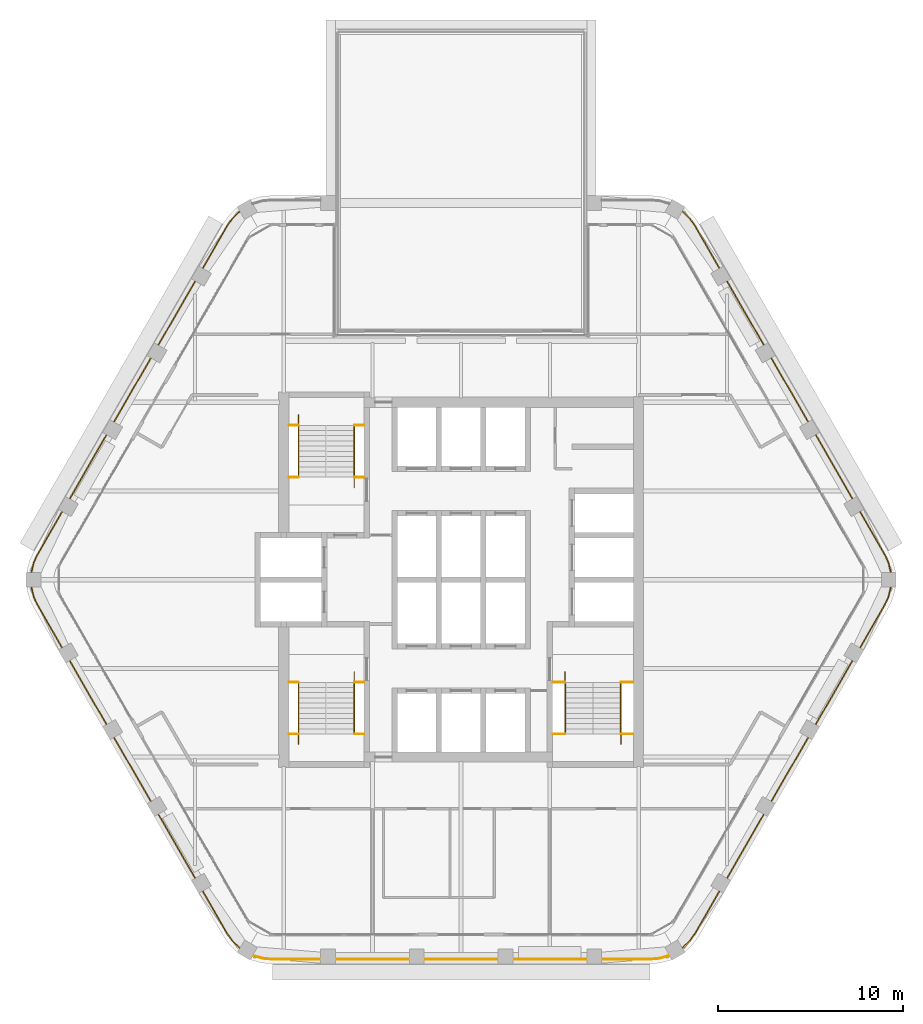
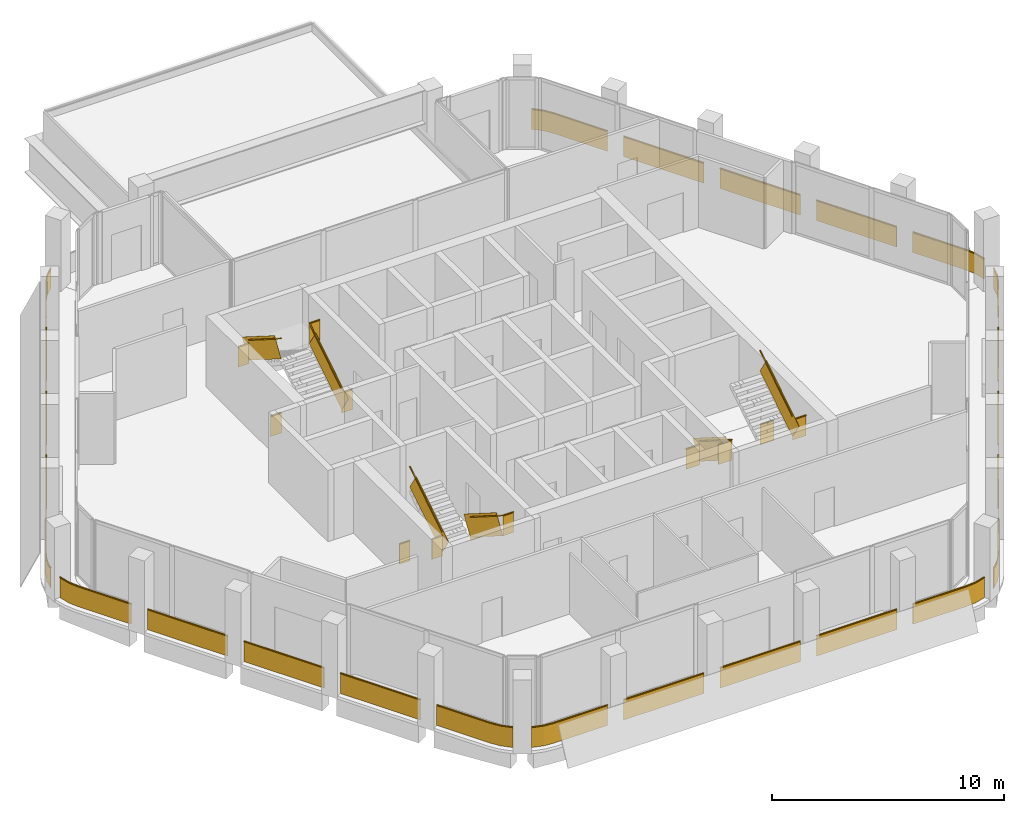
# One storey, part 15 of 16: 11 railings.
"""IFC4 building model written with IfcOpenShell, lengths in metres."""

from ifc_helpers import new_model, si_unit, direction, frame, frame_2d, origin, origin_2d, place, context, subcontext, project, spatial, rectangle, extrude, material, type_object, element, save


model = new_model("IFC4")

# Units and contexts
model_context = context("Model", 3, precision=1e-05, world=origin(), true_north=direction((0.0, 1.0)))
body_context = subcontext(model_context, "Body", "Model", "MODEL_VIEW")
ifc_project = project(units=[si_unit("LENGTHUNIT", "METRE"), si_unit("AREAUNIT", "SQUARE_METRE"), si_unit("VOLUMEUNIT", "CUBIC_METRE"), si_unit("PLANEANGLEUNIT", "RADIAN"), si_unit("MASSUNIT", "GRAM", prefix="KILO")], contexts=[model_context])

# Site, building, storey
site_placement = place(None, origin())
site = spatial("IfcSite", under=ifc_project, at=site_placement, CompositionType="ELEMENT")
building_placement = place(site_placement, origin())
building = spatial("IfcBuilding", under=site, at=building_placement, Name="Kolab Exchange Tower", CompositionType="ELEMENT")
storey_placement = place(building_placement, frame((0.0, 0.0, 269.60009765625)))
storey = spatial("IfcBuildingStorey", under=building, at=storey_placement, Name="L60", CompositionType="ELEMENT", Elevation=269.60009765625)

# Railings
ifc_material_1 = material(Name="Stainless steel 316", Category="steel")
railing_type_1 = type_object("IfcRailingType", Name="GUARD 1100", PredefinedType="GUARDRAIL", material=ifc_material_1)
railing_1_placement = place(storey_placement, frame((-9.324951171875, 5.550048828125, 0.0)))
element("IfcRailing", 1, at=railing_1_placement, inside=storey, type_object=railing_type_1, Name="Guard ST1", PredefinedType="GUARDRAIL", context=body_context, shape_type="SweptSolid", body=[
    extrude(rectangle(XDim=0.05, YDim=0.05, at=origin_2d()), frame((0.0, 0.0, 1.0751953125), z_axis=(1.0, 0.0, 0.0), x_axis=(0.0, 1.0, 0.0)), (0.0, 0.0, 1.0), 0.52734375),
    extrude(rectangle(XDim=0.012, YDim=1.05009765625, at=frame_2d((0.0, 0.525146484375))), frame((0.0, 0.0, 0.0), z_axis=(1.0, 0.0, 0.0), x_axis=(0.0, 1.0, 0.0)), (0.0, 0.0, 1.0), 0.52734375),
    extrude(rectangle(XDim=0.05, YDim=0.05, at=origin_2d()), frame((3.54736328125, 0.0, 1.0751953125), z_axis=(1.0, 0.0, 0.0), x_axis=(0.0, 1.0, 0.0)), (0.0, 0.0, 1.0), 0.527587890625),
    extrude(rectangle(XDim=0.012, YDim=1.05009765625, at=frame_2d((0.0, 0.525146484375))), frame((3.54736328125, 0.0, 0.0), z_axis=(1.0, 0.0, 0.0), x_axis=(0.0, 1.0, 0.0)), (0.0, 0.0, 1.0), 0.527587890625),
    extrude(rectangle(XDim=0.05, YDim=0.05, at=origin_2d()), frame((0.0, 2.800048828125, 3.025146484375), z_axis=(1.0, 0.0, 0.0), x_axis=(0.0, 1.0, 0.0)), (0.0, 0.0, 1.0), 0.52734375),
    extrude(rectangle(XDim=0.012, YDim=1.05009765625, at=frame_2d((0.0, 0.525146484375))), frame((0.0, 2.800048828125, 1.949951171875), z_axis=(1.0, 0.0, 0.0), x_axis=(0.0, 1.0, 0.0)), (0.0, 0.0, 1.0), 0.52734375),
    extrude(rectangle(XDim=0.05, YDim=0.05, at=origin_2d()), frame((3.54736328125, 2.800048828125, 3.025146484375), z_axis=(1.0, 0.0, 0.0), x_axis=(0.0, 1.0, 0.0)), (0.0, 0.0, 1.0), 0.527587890625),
    extrude(rectangle(XDim=0.012, YDim=1.05009765625, at=frame_2d((0.0, 0.525146484375))), frame((3.54736328125, 2.800048828125, 1.949951171875), z_axis=(1.0, 0.0, 0.0), x_axis=(0.0, 1.0, 0.0)), (0.0, 0.0, 1.0), 0.527587890625),
])
railing_2_placement = place(storey_placement, frame((-5.777587890625, 5.550048828125, 0.17724609375)))
element("IfcRailing", 2, at=railing_2_placement, inside=storey, type_object=railing_type_1, Name="Handrail guard ST1", PredefinedType="GUARDRAIL", context=body_context, shape_type="SweptSolid", body=[
    extrude(rectangle(XDim=0.05, YDim=0.05, at=origin_2d()), frame((0.0, 0.0, 1.0751953125), z_axis=(0.0, 0.844908973607, 0.534910110503), x_axis=(-1.0, 0.0, 0.0)), (0.0, 0.0, 1.0), 3.31396484375),
    extrude(rectangle(XDim=0.012, YDim=1.05009765625, at=frame_2d((0.0, 0.525146484375))), frame((0.0, 0.0, 0.0), z_axis=(0.0, 0.844908973607, 0.534910110503), x_axis=(-1.0, 0.0, 0.0)), (0.0, 0.0, 1.0), 3.31396484375),
    extrude(rectangle(XDim=0.05, YDim=0.05, at=origin_2d()), frame((-3.02001953125, 2.800048828125, 3.025146484375), z_axis=(0.0, -0.844908973607, 0.534910110503), x_axis=(1.0, 0.0, 0.0)), (0.0, 0.0, 1.0), 3.31396484375),
    extrude(rectangle(XDim=0.012, YDim=1.05009765625, at=frame_2d((0.0, 0.525146484375))), frame((-3.02001953125, 2.800048828125, 1.949951171875), z_axis=(0.0, -0.844908973607, 0.534910110503), x_axis=(1.0, 0.0, 0.0)), (0.0, 0.0, 1.0), 3.31396484375),
])
railing_3_placement = place(storey_placement, frame((-9.324951171875, -5.550048828125, 0.0)))
element("IfcRailing", 3, at=railing_3_placement, inside=storey, type_object=railing_type_1, Name="Guard ST3", PredefinedType="GUARDRAIL", context=body_context, shape_type="SweptSolid", body=[
    extrude(rectangle(XDim=0.05, YDim=0.05, at=origin_2d()), frame((0.0, 0.0, 1.0751953125), z_axis=(1.0, 0.0, 0.0), x_axis=(0.0, 1.0, 0.0)), (0.0, 0.0, 1.0), 0.52734375),
    extrude(rectangle(XDim=0.012, YDim=1.05009765625, at=frame_2d((0.0, 0.525146484375))), frame((0.0, 0.0, 0.0), z_axis=(1.0, 0.0, 0.0), x_axis=(0.0, 1.0, 0.0)), (0.0, 0.0, 1.0), 0.52734375),
    extrude(rectangle(XDim=0.05, YDim=0.05, at=origin_2d()), frame((3.54736328125, 0.0, 1.0751953125), z_axis=(1.0, 0.0, 0.0), x_axis=(0.0, 1.0, 0.0)), (0.0, 0.0, 1.0), 0.527587890625),
    extrude(rectangle(XDim=0.012, YDim=1.05009765625, at=frame_2d((0.0, 0.525146484375))), frame((3.54736328125, 0.0, 0.0), z_axis=(1.0, 0.0, 0.0), x_axis=(0.0, 1.0, 0.0)), (0.0, 0.0, 1.0), 0.527587890625),
    extrude(rectangle(XDim=0.05, YDim=0.05, at=origin_2d()), frame((0.0, -2.800048828125, 3.025146484375), z_axis=(1.0, 0.0, 0.0), x_axis=(0.0, 1.0, 0.0)), (0.0, 0.0, 1.0), 0.52734375),
    extrude(rectangle(XDim=0.012, YDim=1.05009765625, at=frame_2d((0.0, 0.525146484375))), frame((0.0, -2.800048828125, 1.949951171875), z_axis=(1.0, 0.0, 0.0), x_axis=(0.0, 1.0, 0.0)), (0.0, 0.0, 1.0), 0.52734375),
    extrude(rectangle(XDim=0.05, YDim=0.05, at=origin_2d()), frame((3.54736328125, -2.800048828125, 3.025146484375), z_axis=(1.0, 0.0, 0.0), x_axis=(0.0, 1.0, 0.0)), (0.0, 0.0, 1.0), 0.527587890625),
    extrude(rectangle(XDim=0.012, YDim=1.05009765625, at=frame_2d((0.0, 0.525146484375))), frame((3.54736328125, -2.800048828125, 1.949951171875), z_axis=(1.0, 0.0, 0.0), x_axis=(0.0, 1.0, 0.0)), (0.0, 0.0, 1.0), 0.527587890625),
])
railing_4_placement = place(storey_placement, frame((-5.777587890625, -5.550048828125, 0.17724609375)))
element("IfcRailing", 4, at=railing_4_placement, inside=storey, type_object=railing_type_1, Name="Handrail guard ST3", PredefinedType="GUARDRAIL", context=body_context, shape_type="SweptSolid", body=[
    extrude(rectangle(XDim=0.05, YDim=0.05, at=origin_2d()), frame((0.0, 0.0, 1.0751953125), z_axis=(0.0, -0.844908973607, 0.534910110503), x_axis=(1.0, 0.0, 0.0)), (0.0, 0.0, 1.0), 3.31396484375),
    extrude(rectangle(XDim=0.012, YDim=1.05009765625, at=frame_2d((0.0, 0.525146484375))), frame((0.0, 0.0, 0.0), z_axis=(0.0, -0.844908973607, 0.534910110503), x_axis=(1.0, 0.0, 0.0)), (0.0, 0.0, 1.0), 3.31396484375),
    extrude(rectangle(XDim=0.05, YDim=0.05, at=origin_2d()), frame((-3.02001953125, -2.800048828125, 3.025146484375), z_axis=(0.0, 0.844908973607, 0.534910110503), x_axis=(-1.0, 0.0, 0.0)), (0.0, 0.0, 1.0), 3.31396484375),
    extrude(rectangle(XDim=0.012, YDim=1.05009765625, at=frame_2d((0.0, 0.525146484375))), frame((-3.02001953125, -2.800048828125, 1.949951171875), z_axis=(0.0, 0.844908973607, 0.534910110503), x_axis=(-1.0, 0.0, 0.0)), (0.0, 0.0, 1.0), 3.31396484375),
])
railing_5_placement = place(storey_placement, frame((4.949951171875, -5.550048828125, 0.0)))
element("IfcRailing", 5, at=railing_5_placement, inside=storey, type_object=railing_type_1, Name="Guard ST2", PredefinedType="GUARDRAIL", context=body_context, shape_type="SweptSolid", body=[
    extrude(rectangle(XDim=0.05, YDim=0.05, at=origin_2d()), frame((0.0, 0.0, 1.0751953125), z_axis=(1.0, 0.0, 0.0), x_axis=(0.0, 1.0, 0.0)), (0.0, 0.0, 1.0), 0.677490234375),
    extrude(rectangle(XDim=0.012, YDim=1.05009765625, at=frame_2d((0.0, 0.525146484375))), frame((0.0, 0.0, 0.0), z_axis=(1.0, 0.0, 0.0), x_axis=(0.0, 1.0, 0.0)), (0.0, 0.0, 1.0), 0.677490234375),
    extrude(rectangle(XDim=0.05, YDim=0.05, at=origin_2d()), frame((3.697509765625, 0.0, 1.0751953125), z_axis=(1.0, 0.0, 0.0), x_axis=(0.0, 1.0, 0.0)), (0.0, 0.0, 1.0), 0.677490234375),
    extrude(rectangle(XDim=0.012, YDim=1.05009765625, at=frame_2d((0.0, 0.525146484375))), frame((3.697509765625, 0.0, 0.0), z_axis=(1.0, 0.0, 0.0), x_axis=(0.0, 1.0, 0.0)), (0.0, 0.0, 1.0), 0.677490234375),
    extrude(rectangle(XDim=0.05, YDim=0.05, at=origin_2d()), frame((0.0, -2.800048828125, 3.025146484375), z_axis=(1.0, 0.0, 0.0), x_axis=(0.0, 1.0, 0.0)), (0.0, 0.0, 1.0), 0.677490234375),
    extrude(rectangle(XDim=0.012, YDim=1.05009765625, at=frame_2d((0.0, 0.525146484375))), frame((0.0, -2.800048828125, 1.949951171875), z_axis=(1.0, 0.0, 0.0), x_axis=(0.0, 1.0, 0.0)), (0.0, 0.0, 1.0), 0.677490234375),
    extrude(rectangle(XDim=0.05, YDim=0.05, at=origin_2d()), frame((3.697509765625, -2.800048828125, 3.025146484375), z_axis=(1.0, 0.0, 0.0), x_axis=(0.0, 1.0, 0.0)), (0.0, 0.0, 1.0), 0.677490234375),
    extrude(rectangle(XDim=0.012, YDim=1.05009765625, at=frame_2d((0.0, 0.525146484375))), frame((3.697509765625, -2.800048828125, 1.949951171875), z_axis=(1.0, 0.0, 0.0), x_axis=(0.0, 1.0, 0.0)), (0.0, 0.0, 1.0), 0.677490234375),
])
railing_6_placement = place(storey_placement, frame((5.62744140625, -5.550048828125, 0.17724609375)))
element("IfcRailing", 6, at=railing_6_placement, inside=storey, type_object=railing_type_1, Name="Handrail guard ST2", PredefinedType="GUARDRAIL", context=body_context, shape_type="SweptSolid", body=[
    extrude(rectangle(XDim=0.05, YDim=0.05, at=origin_2d()), frame((0.0, 0.0, 1.0751953125), z_axis=(0.0, -0.844908973607, 0.534910110503), x_axis=(1.0, 0.0, 0.0)), (0.0, 0.0, 1.0), 3.31396484375),
    extrude(rectangle(XDim=0.012, YDim=1.05009765625, at=frame_2d((0.0, 0.525146484375))), frame((0.0, 0.0, 0.0), z_axis=(0.0, -0.844908973607, 0.534910110503), x_axis=(1.0, 0.0, 0.0)), (0.0, 0.0, 1.0), 3.31396484375),
    extrude(rectangle(XDim=0.05, YDim=0.05, at=origin_2d()), frame((3.02001953125, -2.800048828125, 3.025146484375), z_axis=(0.0, 0.844908973607, 0.534910110503), x_axis=(-1.0, 0.0, 0.0)), (0.0, 0.0, 1.0), 3.31396484375),
    extrude(rectangle(XDim=0.012, YDim=1.05009765625, at=frame_2d((0.0, 0.525146484375))), frame((3.02001953125, -2.800048828125, 1.949951171875), z_axis=(0.0, 0.844908973607, 0.534910110503), x_axis=(-1.0, 0.0, 0.0)), (0.0, 0.0, 1.0), 3.31396484375),
])
ifc_material_2 = material(Name="Steel S235", Category="steel")
railing_type_2 = type_object("IfcRailingType", Name="GUARD 1100 GLASS BALUSTRADE AND STEEL TOP RAIL", PredefinedType="GUARDRAIL", material=ifc_material_2)
railing_7_placement = place(storey_placement, frame((23.2509765625, 0.3984375, 0.0)))
element("IfcRailing", 7, at=railing_7_placement, inside=storey, type_object=railing_type_2, Name="Guard", PredefinedType="GUARDRAIL", context=body_context, shape_type="SweptSolid", body=[
    extrude(rectangle(XDim=0.05, YDim=0.05, at=origin_2d()), frame((0.0, 0.0, 1.0751953125), z_axis=(-0.234597748196, 0.972092534968, 0.0), x_axis=(-0.972092534968, -0.234597748196, 0.0)), (0.0, 0.0, 1.0), 0.557861328125),
    extrude(rectangle(XDim=0.012, YDim=1.05009765625, at=frame_2d((0.0, 0.525146484375))), frame((0.0, 0.0, 0.0), z_axis=(-0.234597748196, 0.972092534968, 0.0), x_axis=(-0.972092534968, -0.234597748196, 0.0)), (0.0, 0.0, 1.0), 0.557861328125),
    extrude(rectangle(XDim=0.05, YDim=0.05, at=origin_2d()), frame((-0.130859375, 0.542236328125, 1.0751953125), z_axis=(-0.422801802984, 0.906222177721, 0.0), x_axis=(-0.906222177721, -0.422801802984, 0.0)), (0.0, 0.0, 1.0), 0.479248046875),
    extrude(rectangle(XDim=0.012, YDim=1.05009765625, at=frame_2d((0.0, 0.525146484375))), frame((-0.130859375, 0.542236328125, 0.0), z_axis=(-0.422801802984, 0.906222177721, 0.0), x_axis=(-0.906222177721, -0.422801802984, 0.0)), (0.0, 0.0, 1.0), 0.479248046875),
    extrude(rectangle(XDim=0.05, YDim=0.05, at=origin_2d()), frame((-0.33349609375, 0.9765625, 1.0751953125), z_axis=(-0.499997052475, 0.866027105532, 0.0), x_axis=(-0.866027105532, -0.499997052475, 0.0)), (0.0, 0.0, 1.0), 2.66796875),
    extrude(rectangle(XDim=0.012, YDim=1.05009765625, at=frame_2d((0.0, 0.525146484375))), frame((-0.33349609375, 0.9765625, 0.0), z_axis=(-0.499997052475, 0.866027105532, 0.0), x_axis=(-0.866027105532, -0.499997052475, 0.0)), (0.0, 0.0, 1.0), 2.66796875),
    extrude(rectangle(XDim=0.05, YDim=0.05, at=origin_2d()), frame((-2.0673828125, 3.97998046875, 1.0751953125), z_axis=(-0.49999894854, 0.866026010844, 0.0), x_axis=(-0.866026010844, -0.49999894854, 0.0)), (0.0, 0.0, 1.0), 4.0),
    extrude(rectangle(XDim=0.012, YDim=1.05009765625, at=frame_2d((0.0, 0.525146484375))), frame((-2.0673828125, 3.97998046875, 0.0), z_axis=(-0.49999894854, 0.866026010844, 0.0), x_axis=(-0.866026010844, -0.49999894854, 0.0)), (0.0, 0.0, 1.0), 4.0),
    extrude(rectangle(XDim=0.05, YDim=0.05, at=origin_2d()), frame((-4.467529296875, 8.13671875, 1.0751953125), z_axis=(-0.49999894854, 0.866026010844, 0.0), x_axis=(-0.866026010844, -0.49999894854, 0.0)), (0.0, 0.0, 1.0), 4.0),
    extrude(rectangle(XDim=0.012, YDim=1.05009765625, at=frame_2d((0.0, 0.525146484375))), frame((-4.467529296875, 8.13671875, 0.0), z_axis=(-0.49999894854, 0.866026010844, 0.0), x_axis=(-0.866026010844, -0.49999894854, 0.0)), (0.0, 0.0, 1.0), 4.0),
    extrude(rectangle(XDim=0.05, YDim=0.05, at=origin_2d()), frame((-6.867431640625, 12.293701171875, 1.0751953125), z_axis=(-0.49999894854, 0.866026010844, 0.0), x_axis=(-0.866026010844, -0.49999894854, 0.0)), (0.0, 0.0, 1.0), 4.0),
    extrude(rectangle(XDim=0.012, YDim=1.05009765625, at=frame_2d((0.0, 0.525146484375))), frame((-6.867431640625, 12.293701171875, 0.0), z_axis=(-0.49999894854, 0.866026010844, 0.0), x_axis=(-0.866026010844, -0.49999894854, 0.0)), (0.0, 0.0, 1.0), 4.0),
    extrude(rectangle(XDim=0.05, YDim=0.05, at=origin_2d()), frame((-9.267578125, 16.45068359375, 1.0751953125), z_axis=(-0.499997052475, 0.866027105532, 0.0), x_axis=(-0.866027105532, -0.499997052475, 0.0)), (0.0, 0.0, 1.0), 2.66796875),
    extrude(rectangle(XDim=0.012, YDim=1.05009765625, at=frame_2d((0.0, 0.525146484375))), frame((-9.267578125, 16.45068359375, 0.0), z_axis=(-0.499997052475, 0.866027105532, 0.0), x_axis=(-0.866027105532, -0.499997052475, 0.0)), (0.0, 0.0, 1.0), 2.66796875),
    extrude(rectangle(XDim=0.05, YDim=0.05, at=origin_2d()), frame((-10.6015625, 18.76123046875, 1.0751953125), z_axis=(-0.573599091554, 0.819136180478, 0.0), x_axis=(-0.819136180478, -0.573599091554, 0.0)), (0.0, 0.0, 1.0), 0.479248046875),
    extrude(rectangle(XDim=0.012, YDim=1.05009765625, at=frame_2d((0.0, 0.525146484375))), frame((-10.6015625, 18.76123046875, 0.0), z_axis=(-0.573599091554, 0.819136180478, 0.0), x_axis=(-0.819136180478, -0.573599091554, 0.0)), (0.0, 0.0, 1.0), 0.479248046875),
    extrude(rectangle(XDim=0.05, YDim=0.05, at=origin_2d()), frame((-10.87646484375, 19.15380859375, 1.0751953125), z_axis=(-0.724189990991, 0.689600505327, 0.0), x_axis=(-0.689600505327, -0.724189990991, 0.0)), (0.0, 0.0, 1.0), 0.5576171875),
    extrude(rectangle(XDim=0.012, YDim=1.05009765625, at=frame_2d((0.0, 0.525146484375))), frame((-10.87646484375, 19.15380859375, 0.0), z_axis=(-0.724189990991, 0.689600505327, 0.0), x_axis=(-0.689600505327, -0.724189990991, 0.0)), (0.0, 0.0, 1.0), 0.5576171875),
])
railing_8_placement = place(storey_placement, frame((11.970703125, -19.936767578125, 0.0)))
element("IfcRailing", 8, at=railing_8_placement, inside=storey, type_object=railing_type_2, Name="Guard", PredefinedType="GUARDRAIL", context=body_context, shape_type="SweptSolid", body=[
    extrude(rectangle(XDim=0.05, YDim=0.05, at=origin_2d()), frame((0.0, 0.0, 1.0751953125), z_axis=(0.724189990991, 0.689600505327, 0.0), x_axis=(-0.689600505327, 0.724189990991, 0.0)), (0.0, 0.0, 1.0), 0.5576171875),
    extrude(rectangle(XDim=0.012, YDim=1.05009765625, at=frame_2d((0.0, 0.525146484375))), frame((0.0, 0.0, 0.0), z_axis=(0.724189990991, 0.689600505327, 0.0), x_axis=(-0.689600505327, 0.724189990991, 0.0)), (0.0, 0.0, 1.0), 0.5576171875),
    extrude(rectangle(XDim=0.05, YDim=0.05, at=origin_2d()), frame((0.40380859375, 0.384521484375, 1.0751953125), z_axis=(0.573599091554, 0.819136180478, 0.0), x_axis=(-0.819136180478, 0.573599091554, 0.0)), (0.0, 0.0, 1.0), 0.479248046875),
    extrude(rectangle(XDim=0.012, YDim=1.05009765625, at=frame_2d((0.0, 0.525146484375))), frame((0.40380859375, 0.384521484375, 0.0), z_axis=(0.573599091554, 0.819136180478, 0.0), x_axis=(-0.819136180478, 0.573599091554, 0.0)), (0.0, 0.0, 1.0), 0.479248046875),
    extrude(rectangle(XDim=0.05, YDim=0.05, at=origin_2d()), frame((0.6787109375, 0.777099609375, 1.0751953125), z_axis=(0.499997052475, 0.866027105532, 0.0), x_axis=(-0.866027105532, 0.499997052475, 0.0)), (0.0, 0.0, 1.0), 2.66796875),
    extrude(rectangle(XDim=0.012, YDim=1.05009765625, at=frame_2d((0.0, 0.525146484375))), frame((0.6787109375, 0.777099609375, 0.0), z_axis=(0.499997052475, 0.866027105532, 0.0), x_axis=(-0.866027105532, 0.499997052475, 0.0)), (0.0, 0.0, 1.0), 2.66796875),
    extrude(rectangle(XDim=0.05, YDim=0.05, at=origin_2d()), frame((2.412841796875, 3.780517578125, 1.0751953125), z_axis=(0.49999894854, 0.866026010844, 0.0), x_axis=(-0.866026010844, 0.49999894854, 0.0)), (0.0, 0.0, 1.0), 4.0),
    extrude(rectangle(XDim=0.012, YDim=1.05009765625, at=frame_2d((0.0, 0.525146484375))), frame((2.412841796875, 3.780517578125, 0.0), z_axis=(0.49999894854, 0.866026010844, 0.0), x_axis=(-0.866026010844, 0.49999894854, 0.0)), (0.0, 0.0, 1.0), 4.0),
    extrude(rectangle(XDim=0.05, YDim=0.05, at=origin_2d()), frame((4.812744140625, 7.9375, 1.0751953125), z_axis=(0.49999894854, 0.866026010844, 0.0), x_axis=(-0.866026010844, 0.49999894854, 0.0)), (0.0, 0.0, 1.0), 4.0),
    extrude(rectangle(XDim=0.012, YDim=1.05009765625, at=frame_2d((0.0, 0.525146484375))), frame((4.812744140625, 7.9375, 0.0), z_axis=(0.49999894854, 0.866026010844, 0.0), x_axis=(-0.866026010844, 0.49999894854, 0.0)), (0.0, 0.0, 1.0), 4.0),
    extrude(rectangle(XDim=0.05, YDim=0.05, at=origin_2d()), frame((7.212890625, 12.09423828125, 1.0751953125), z_axis=(0.49999894854, 0.866026010844, 0.0), x_axis=(-0.866026010844, 0.49999894854, 0.0)), (0.0, 0.0, 1.0), 4.0),
    extrude(rectangle(XDim=0.012, YDim=1.05009765625, at=frame_2d((0.0, 0.525146484375))), frame((7.212890625, 12.09423828125, 0.0), z_axis=(0.49999894854, 0.866026010844, 0.0), x_axis=(-0.866026010844, 0.49999894854, 0.0)), (0.0, 0.0, 1.0), 4.0),
    extrude(rectangle(XDim=0.05, YDim=0.05, at=origin_2d()), frame((9.61279296875, 16.251220703125, 1.0751953125), z_axis=(0.499997052475, 0.866027105532, 0.0), x_axis=(-0.866027105532, 0.499997052475, 0.0)), (0.0, 0.0, 1.0), 2.66796875),
    extrude(rectangle(XDim=0.012, YDim=1.05009765625, at=frame_2d((0.0, 0.525146484375))), frame((9.61279296875, 16.251220703125, 0.0), z_axis=(0.499997052475, 0.866027105532, 0.0), x_axis=(-0.866027105532, 0.499997052475, 0.0)), (0.0, 0.0, 1.0), 2.66796875),
    extrude(rectangle(XDim=0.05, YDim=0.05, at=origin_2d()), frame((10.94677734375, 18.561767578125, 1.0751953125), z_axis=(0.422801802984, 0.906222177721, 0.0), x_axis=(-0.906222177721, 0.422801802984, 0.0)), (0.0, 0.0, 1.0), 0.479248046875),
    extrude(rectangle(XDim=0.012, YDim=1.05009765625, at=frame_2d((0.0, 0.525146484375))), frame((10.94677734375, 18.561767578125, 0.0), z_axis=(0.422801802984, 0.906222177721, 0.0), x_axis=(-0.906222177721, 0.422801802984, 0.0)), (0.0, 0.0, 1.0), 0.479248046875),
    extrude(rectangle(XDim=0.05, YDim=0.05, at=origin_2d()), frame((11.1494140625, 18.99609375, 1.0751953125), z_axis=(0.234597748196, 0.972092534968, 0.0), x_axis=(-0.972092534968, 0.234597748196, 0.0)), (0.0, 0.0, 1.0), 0.557861328125),
    extrude(rectangle(XDim=0.012, YDim=1.05009765625, at=frame_2d((0.0, 0.525146484375))), frame((11.1494140625, 18.99609375, 0.0), z_axis=(0.234597748196, 0.972092534968, 0.0), x_axis=(-0.972092534968, 0.234597748196, 0.0)), (0.0, 0.0, 1.0), 0.557861328125),
])
railing_9_placement = place(storey_placement, frame((-11.280517578125, -20.335205078125, 0.0)))
element("IfcRailing", 9, at=railing_9_placement, inside=storey, type_object=railing_type_2, Name="Guard", PredefinedType="GUARDRAIL", context=body_context, shape_type="SweptSolid", body=[
    extrude(rectangle(XDim=0.05, YDim=0.05, at=origin_2d()), frame((0.0, 0.0, 1.0751953125), z_axis=(0.959212061764, -0.282687496304, 0.0), x_axis=(0.282687496304, 0.959212061764, 0.0)), (0.0, 0.0, 1.0), 0.557861328125),
    extrude(rectangle(XDim=0.012, YDim=1.05009765625, at=frame_2d((0.0, 0.525146484375))), frame((0.0, 0.0, 0.0), z_axis=(0.959212061764, -0.282687496304, 0.0), x_axis=(0.282687496304, 0.959212061764, 0.0)), (0.0, 0.0, 1.0), 0.557861328125),
    extrude(rectangle(XDim=0.05, YDim=0.05, at=origin_2d()), frame((0.53515625, -0.15771484375, 1.0751953125), z_axis=(0.996196482496, -0.087135344505, 0.0), x_axis=(0.087135344505, 0.996196482496, 0.0)), (0.0, 0.0, 1.0), 0.47900390625),
    extrude(rectangle(XDim=0.012, YDim=1.05009765625, at=frame_2d((0.0, 0.525146484375))), frame((0.53515625, -0.15771484375, 0.0), z_axis=(0.996196482496, -0.087135344505, 0.0), x_axis=(0.087135344505, 0.996196482496, 0.0)), (0.0, 0.0, 1.0), 0.47900390625),
    extrude(rectangle(XDim=0.05, YDim=0.05, at=origin_2d()), frame((1.012451171875, -0.199462890625, 1.0751953125), z_axis=(1.0, 0.0, 0.0), x_axis=(0.0, 1.0, 0.0)), (0.0, 0.0, 1.0), 2.66796875),
    extrude(rectangle(XDim=0.012, YDim=1.05009765625, at=frame_2d((0.0, 0.525146484375))), frame((1.012451171875, -0.199462890625, 0.0), z_axis=(1.0, 0.0, 0.0), x_axis=(0.0, 1.0, 0.0)), (0.0, 0.0, 1.0), 2.66796875),
    extrude(rectangle(XDim=0.05, YDim=0.05, at=origin_2d()), frame((4.48046875, -0.199462890625, 1.0751953125), z_axis=(1.0, 0.0, 0.0), x_axis=(0.0, 1.0, 0.0)), (0.0, 0.0, 1.0), 4.0),
    extrude(rectangle(XDim=0.012, YDim=1.05009765625, at=frame_2d((0.0, 0.525146484375))), frame((4.48046875, -0.199462890625, 0.0), z_axis=(1.0, 0.0, 0.0), x_axis=(0.0, 1.0, 0.0)), (0.0, 0.0, 1.0), 4.0),
    extrude(rectangle(XDim=0.05, YDim=0.05, at=origin_2d()), frame((9.280517578125, -0.199462890625, 1.0751953125), z_axis=(1.0, 0.0, 0.0), x_axis=(0.0, 1.0, 0.0)), (0.0, 0.0, 1.0), 4.0),
    extrude(rectangle(XDim=0.012, YDim=1.05009765625, at=frame_2d((0.0, 0.525146484375))), frame((9.280517578125, -0.199462890625, 0.0), z_axis=(1.0, 0.0, 0.0), x_axis=(0.0, 1.0, 0.0)), (0.0, 0.0, 1.0), 4.0),
    extrude(rectangle(XDim=0.05, YDim=0.05, at=origin_2d()), frame((14.08056640625, -0.199462890625, 1.0751953125), z_axis=(1.0, 0.0, 0.0), x_axis=(0.0, 1.0, 0.0)), (0.0, 0.0, 1.0), 4.0),
    extrude(rectangle(XDim=0.012, YDim=1.05009765625, at=frame_2d((0.0, 0.525146484375))), frame((14.08056640625, -0.199462890625, 0.0), z_axis=(1.0, 0.0, 0.0), x_axis=(0.0, 1.0, 0.0)), (0.0, 0.0, 1.0), 4.0),
    extrude(rectangle(XDim=0.05, YDim=0.05, at=origin_2d()), frame((18.880615234375, -0.199462890625, 1.0751953125), z_axis=(1.0, 0.0, 0.0), x_axis=(0.0, 1.0, 0.0)), (0.0, 0.0, 1.0), 2.66796875),
    extrude(rectangle(XDim=0.012, YDim=1.05009765625, at=frame_2d((0.0, 0.525146484375))), frame((18.880615234375, -0.199462890625, 0.0), z_axis=(1.0, 0.0, 0.0), x_axis=(0.0, 1.0, 0.0)), (0.0, 0.0, 1.0), 2.66796875),
    extrude(rectangle(XDim=0.05, YDim=0.05, at=origin_2d()), frame((21.548583984375, -0.199462890625, 1.0751953125), z_axis=(0.996196482496, 0.087135344505, 0.0), x_axis=(-0.087135344505, 0.996196482496, 0.0)), (0.0, 0.0, 1.0), 0.47900390625),
    extrude(rectangle(XDim=0.012, YDim=1.05009765625, at=frame_2d((0.0, 0.525146484375))), frame((21.548583984375, -0.199462890625, 0.0), z_axis=(0.996196482496, 0.087135344505, 0.0), x_axis=(-0.087135344505, 0.996196482496, 0.0)), (0.0, 0.0, 1.0), 0.47900390625),
    extrude(rectangle(XDim=0.05, YDim=0.05, at=origin_2d()), frame((22.02587890625, -0.15771484375, 1.0751953125), z_axis=(0.959212061764, 0.282687496304, 0.0), x_axis=(-0.282687496304, 0.959212061764, 0.0)), (0.0, 0.0, 1.0), 0.557861328125),
    extrude(rectangle(XDim=0.012, YDim=1.05009765625, at=frame_2d((0.0, 0.525146484375))), frame((22.02587890625, -0.15771484375, 0.0), z_axis=(0.959212061764, 0.282687496304, 0.0), x_axis=(-0.282687496304, 0.959212061764, 0.0)), (0.0, 0.0, 1.0), 0.557861328125),
])
railing_10_placement = place(storey_placement, frame((-23.2509765625, -0.3984375, 0.0)))
element("IfcRailing", 10, at=railing_10_placement, inside=storey, type_object=railing_type_2, Name="Guard", PredefinedType="GUARDRAIL", context=body_context, shape_type="SweptSolid", body=[
    extrude(rectangle(XDim=0.05, YDim=0.05, at=origin_2d()), frame((0.0, 0.0, 1.0751953125), z_axis=(0.234597748196, -0.972092534968, 0.0), x_axis=(0.972092534968, 0.234597748196, 0.0)), (0.0, 0.0, 1.0), 0.557861328125),
    extrude(rectangle(XDim=0.012, YDim=1.05009765625, at=frame_2d((0.0, 0.525146484375))), frame((0.0, 0.0, 0.0), z_axis=(0.234597748196, -0.972092534968, 0.0), x_axis=(0.972092534968, 0.234597748196, 0.0)), (0.0, 0.0, 1.0), 0.557861328125),
    extrude(rectangle(XDim=0.05, YDim=0.05, at=origin_2d()), frame((0.130859375, -0.542236328125, 1.0751953125), z_axis=(0.422801802984, -0.906222177721, 0.0), x_axis=(0.906222177721, 0.422801802984, 0.0)), (0.0, 0.0, 1.0), 0.479248046875),
    extrude(rectangle(XDim=0.012, YDim=1.05009765625, at=frame_2d((0.0, 0.525146484375))), frame((0.130859375, -0.542236328125, 0.0), z_axis=(0.422801802984, -0.906222177721, 0.0), x_axis=(0.906222177721, 0.422801802984, 0.0)), (0.0, 0.0, 1.0), 0.479248046875),
    extrude(rectangle(XDim=0.05, YDim=0.05, at=origin_2d()), frame((0.33349609375, -0.9765625, 1.0751953125), z_axis=(0.499997052475, -0.866027105532, 0.0), x_axis=(0.866027105532, 0.499997052475, 0.0)), (0.0, 0.0, 1.0), 2.66796875),
    extrude(rectangle(XDim=0.012, YDim=1.05009765625, at=frame_2d((0.0, 0.525146484375))), frame((0.33349609375, -0.9765625, 0.0), z_axis=(0.499997052475, -0.866027105532, 0.0), x_axis=(0.866027105532, 0.499997052475, 0.0)), (0.0, 0.0, 1.0), 2.66796875),
    extrude(rectangle(XDim=0.05, YDim=0.05, at=origin_2d()), frame((2.0673828125, -3.97998046875, 1.0751953125), z_axis=(0.49999894854, -0.866026010844, 0.0), x_axis=(0.866026010844, 0.49999894854, 0.0)), (0.0, 0.0, 1.0), 4.0),
    extrude(rectangle(XDim=0.012, YDim=1.05009765625, at=frame_2d((0.0, 0.525146484375))), frame((2.0673828125, -3.97998046875, 0.0), z_axis=(0.49999894854, -0.866026010844, 0.0), x_axis=(0.866026010844, 0.49999894854, 0.0)), (0.0, 0.0, 1.0), 4.0),
    extrude(rectangle(XDim=0.05, YDim=0.05, at=origin_2d()), frame((4.467529296875, -8.13671875, 1.0751953125), z_axis=(0.49999894854, -0.866026010844, 0.0), x_axis=(0.866026010844, 0.49999894854, 0.0)), (0.0, 0.0, 1.0), 4.0),
    extrude(rectangle(XDim=0.012, YDim=1.05009765625, at=frame_2d((0.0, 0.525146484375))), frame((4.467529296875, -8.13671875, 0.0), z_axis=(0.49999894854, -0.866026010844, 0.0), x_axis=(0.866026010844, 0.49999894854, 0.0)), (0.0, 0.0, 1.0), 4.0),
    extrude(rectangle(XDim=0.05, YDim=0.05, at=origin_2d()), frame((6.867431640625, -12.293701171875, 1.0751953125), z_axis=(0.49999894854, -0.866026010844, 0.0), x_axis=(0.866026010844, 0.49999894854, 0.0)), (0.0, 0.0, 1.0), 4.0),
    extrude(rectangle(XDim=0.012, YDim=1.05009765625, at=frame_2d((0.0, 0.525146484375))), frame((6.867431640625, -12.293701171875, 0.0), z_axis=(0.49999894854, -0.866026010844, 0.0), x_axis=(0.866026010844, 0.49999894854, 0.0)), (0.0, 0.0, 1.0), 4.0),
    extrude(rectangle(XDim=0.05, YDim=0.05, at=origin_2d()), frame((9.267578125, -16.45068359375, 1.0751953125), z_axis=(0.499997052475, -0.866027105532, 0.0), x_axis=(0.866027105532, 0.499997052475, 0.0)), (0.0, 0.0, 1.0), 2.66796875),
    extrude(rectangle(XDim=0.012, YDim=1.05009765625, at=frame_2d((0.0, 0.525146484375))), frame((9.267578125, -16.45068359375, 0.0), z_axis=(0.499997052475, -0.866027105532, 0.0), x_axis=(0.866027105532, 0.499997052475, 0.0)), (0.0, 0.0, 1.0), 2.66796875),
    extrude(rectangle(XDim=0.05, YDim=0.05, at=origin_2d()), frame((10.6015625, -18.76123046875, 1.0751953125), z_axis=(0.573599091554, -0.819136180478, 0.0), x_axis=(0.819136180478, 0.573599091554, 0.0)), (0.0, 0.0, 1.0), 0.479248046875),
    extrude(rectangle(XDim=0.012, YDim=1.05009765625, at=frame_2d((0.0, 0.525146484375))), frame((10.6015625, -18.76123046875, 0.0), z_axis=(0.573599091554, -0.819136180478, 0.0), x_axis=(0.819136180478, 0.573599091554, 0.0)), (0.0, 0.0, 1.0), 0.479248046875),
    extrude(rectangle(XDim=0.05, YDim=0.05, at=origin_2d()), frame((10.87646484375, -19.15380859375, 1.0751953125), z_axis=(0.724189990991, -0.689600505327, 0.0), x_axis=(0.689600505327, 0.724189990991, 0.0)), (0.0, 0.0, 1.0), 0.5576171875),
    extrude(rectangle(XDim=0.012, YDim=1.05009765625, at=frame_2d((0.0, 0.525146484375))), frame((10.87646484375, -19.15380859375, 0.0), z_axis=(0.724189990991, -0.689600505327, 0.0), x_axis=(0.689600505327, 0.724189990991, 0.0)), (0.0, 0.0, 1.0), 0.5576171875),
])
railing_11_placement = place(storey_placement, frame((-11.970703125, 19.936767578125, 0.0)))
element("IfcRailing", 11, at=railing_11_placement, inside=storey, type_object=railing_type_2, Name="Guard", PredefinedType="GUARDRAIL", context=body_context, shape_type="SweptSolid", body=[
    extrude(rectangle(XDim=0.05, YDim=0.05, at=origin_2d()), frame((0.0, 0.0, 1.0751953125), z_axis=(-0.724189990991, -0.689600505327, 0.0), x_axis=(0.689600505327, -0.724189990991, 0.0)), (0.0, 0.0, 1.0), 0.5576171875),
    extrude(rectangle(XDim=0.012, YDim=1.05009765625, at=frame_2d((0.0, 0.525146484375))), frame((0.0, 0.0, 0.0), z_axis=(-0.724189990991, -0.689600505327, 0.0), x_axis=(0.689600505327, -0.724189990991, 0.0)), (0.0, 0.0, 1.0), 0.5576171875),
    extrude(rectangle(XDim=0.05, YDim=0.05, at=origin_2d()), frame((-0.40380859375, -0.384521484375, 1.0751953125), z_axis=(-0.573599091554, -0.819136180478, 0.0), x_axis=(0.819136180478, -0.573599091554, 0.0)), (0.0, 0.0, 1.0), 0.479248046875),
    extrude(rectangle(XDim=0.012, YDim=1.05009765625, at=frame_2d((0.0, 0.525146484375))), frame((-0.40380859375, -0.384521484375, 0.0), z_axis=(-0.573599091554, -0.819136180478, 0.0), x_axis=(0.819136180478, -0.573599091554, 0.0)), (0.0, 0.0, 1.0), 0.479248046875),
    extrude(rectangle(XDim=0.05, YDim=0.05, at=origin_2d()), frame((-0.6787109375, -0.777099609375, 1.0751953125), z_axis=(-0.499997052475, -0.866027105532, 0.0), x_axis=(0.866027105532, -0.499997052475, 0.0)), (0.0, 0.0, 1.0), 2.66796875),
    extrude(rectangle(XDim=0.012, YDim=1.05009765625, at=frame_2d((0.0, 0.525146484375))), frame((-0.6787109375, -0.777099609375, 0.0), z_axis=(-0.499997052475, -0.866027105532, 0.0), x_axis=(0.866027105532, -0.499997052475, 0.0)), (0.0, 0.0, 1.0), 2.66796875),
    extrude(rectangle(XDim=0.05, YDim=0.05, at=origin_2d()), frame((-2.412841796875, -3.780517578125, 1.0751953125), z_axis=(-0.49999894854, -0.866026010844, 0.0), x_axis=(0.866026010844, -0.49999894854, 0.0)), (0.0, 0.0, 1.0), 4.0),
    extrude(rectangle(XDim=0.012, YDim=1.05009765625, at=frame_2d((0.0, 0.525146484375))), frame((-2.412841796875, -3.780517578125, 0.0), z_axis=(-0.49999894854, -0.866026010844, 0.0), x_axis=(0.866026010844, -0.49999894854, 0.0)), (0.0, 0.0, 1.0), 4.0),
    extrude(rectangle(XDim=0.05, YDim=0.05, at=origin_2d()), frame((-4.812744140625, -7.9375, 1.0751953125), z_axis=(-0.49999894854, -0.866026010844, 0.0), x_axis=(0.866026010844, -0.49999894854, 0.0)), (0.0, 0.0, 1.0), 4.0),
    extrude(rectangle(XDim=0.012, YDim=1.05009765625, at=frame_2d((0.0, 0.525146484375))), frame((-4.812744140625, -7.9375, 0.0), z_axis=(-0.49999894854, -0.866026010844, 0.0), x_axis=(0.866026010844, -0.49999894854, 0.0)), (0.0, 0.0, 1.0), 4.0),
    extrude(rectangle(XDim=0.05, YDim=0.05, at=origin_2d()), frame((-7.212890625, -12.09423828125, 1.0751953125), z_axis=(-0.49999894854, -0.866026010844, 0.0), x_axis=(0.866026010844, -0.49999894854, 0.0)), (0.0, 0.0, 1.0), 4.0),
    extrude(rectangle(XDim=0.012, YDim=1.05009765625, at=frame_2d((0.0, 0.525146484375))), frame((-7.212890625, -12.09423828125, 0.0), z_axis=(-0.49999894854, -0.866026010844, 0.0), x_axis=(0.866026010844, -0.49999894854, 0.0)), (0.0, 0.0, 1.0), 4.0),
    extrude(rectangle(XDim=0.05, YDim=0.05, at=origin_2d()), frame((-9.61279296875, -16.251220703125, 1.0751953125), z_axis=(-0.499997052475, -0.866027105532, 0.0), x_axis=(0.866027105532, -0.499997052475, 0.0)), (0.0, 0.0, 1.0), 2.66796875),
    extrude(rectangle(XDim=0.012, YDim=1.05009765625, at=frame_2d((0.0, 0.525146484375))), frame((-9.61279296875, -16.251220703125, 0.0), z_axis=(-0.499997052475, -0.866027105532, 0.0), x_axis=(0.866027105532, -0.499997052475, 0.0)), (0.0, 0.0, 1.0), 2.66796875),
    extrude(rectangle(XDim=0.05, YDim=0.05, at=origin_2d()), frame((-10.94677734375, -18.561767578125, 1.0751953125), z_axis=(-0.422801802984, -0.906222177721, 0.0), x_axis=(0.906222177721, -0.422801802984, 0.0)), (0.0, 0.0, 1.0), 0.479248046875),
    extrude(rectangle(XDim=0.012, YDim=1.05009765625, at=frame_2d((0.0, 0.525146484375))), frame((-10.94677734375, -18.561767578125, 0.0), z_axis=(-0.422801802984, -0.906222177721, 0.0), x_axis=(0.906222177721, -0.422801802984, 0.0)), (0.0, 0.0, 1.0), 0.479248046875),
    extrude(rectangle(XDim=0.05, YDim=0.05, at=origin_2d()), frame((-11.1494140625, -18.99609375, 1.0751953125), z_axis=(-0.234597748196, -0.972092534968, 0.0), x_axis=(0.972092534968, -0.234597748196, 0.0)), (0.0, 0.0, 1.0), 0.557861328125),
    extrude(rectangle(XDim=0.012, YDim=1.05009765625, at=frame_2d((0.0, 0.525146484375))), frame((-11.1494140625, -18.99609375, 0.0), z_axis=(-0.234597748196, -0.972092534968, 0.0), x_axis=(0.972092534968, -0.234597748196, 0.0)), (0.0, 0.0, 1.0), 0.557861328125),
])

save(model, "model.ifc")
